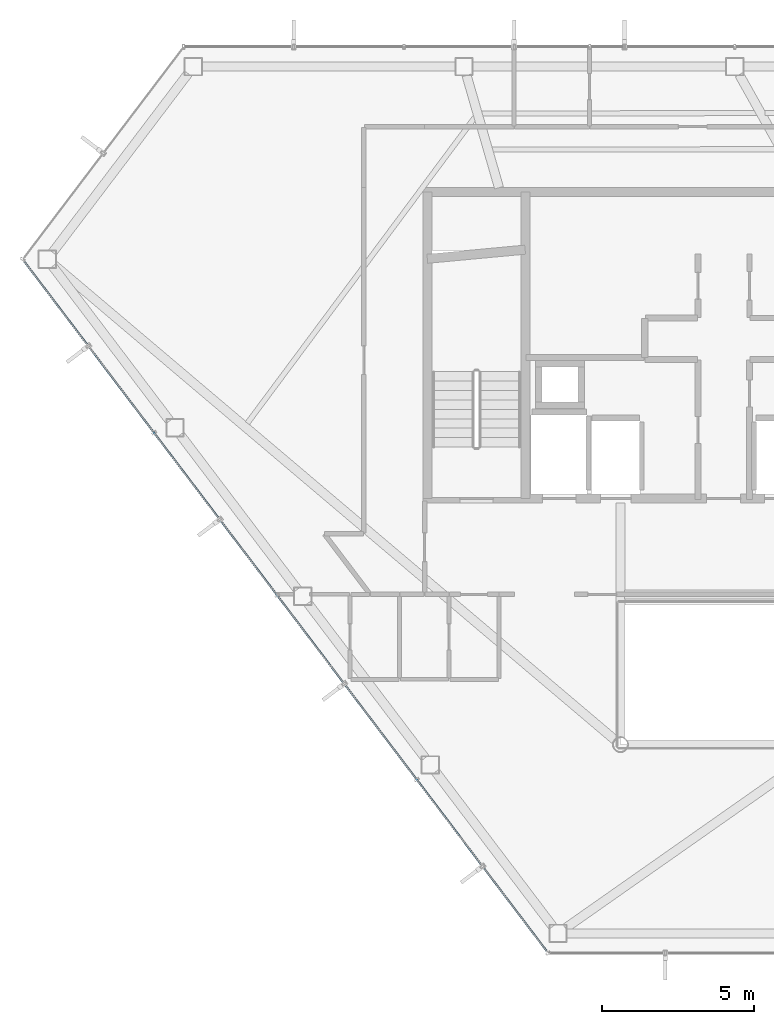
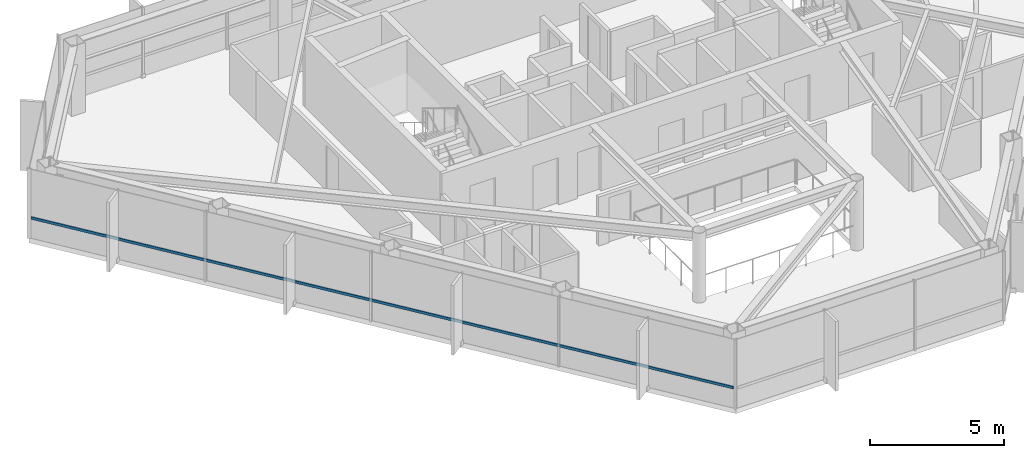
# One storey, part 4 of 27: 1 member, 1 element without a shape of its own.
"""IFC4 building model written with IfcOpenShell, lengths in metres."""

from ifc_helpers import new_model, si_unit, direction, frame, origin, origin_2d, place, context, subcontext, project, spatial, hollow_rectangle, extrude, material, layer, layer_set, material_profile, profile_set, type_object, element, aggregate, save


model = new_model("IFC4")

# Units and contexts
model_context = context("Model", 3, precision=1e-05, world=origin(), true_north=direction((0.0, 1.0)))
body_context = subcontext(model_context, "Body", "Model", "MODEL_VIEW")
ifc_project = project(units=[si_unit("LENGTHUNIT", "METRE"), si_unit("AREAUNIT", "SQUARE_METRE"), si_unit("VOLUMEUNIT", "CUBIC_METRE"), si_unit("PLANEANGLEUNIT", "RADIAN"), si_unit("MASSUNIT", "GRAM", prefix="KILO")], contexts=[model_context])

# Site, building, storey
site_placement = place(None, origin())
site = spatial("IfcSite", under=ifc_project, at=site_placement, CompositionType="ELEMENT")
building_placement = place(site_placement, origin())
building = spatial("IfcBuilding", under=site, at=building_placement, Name="Zarrinselat Tower", CompositionType="ELEMENT")
storey_placement = place(building_placement, frame((0.0, 0.0, 232.56005859375)))
storey = spatial("IfcBuildingStorey", under=building, at=storey_placement, Name="L58", CompositionType="ELEMENT", Elevation=232.56005859375)

# Curtain wall, member
ifc_material_1 = material(Name="Extruded Aluminium Alloy EN AW-6063 T6", Category="aluminium")
ifc_layer = layer(ifc_material_1, 0.169921875)
ifc_layer_set = layer_set([ifc_layer], Name="Extruded Aluminium Alloy EN AW-6063 T6")
curtain_wall_type = type_object("IfcCurtainWallType", Name="CWS-RES", PredefinedType="NOTDEFINED", material=ifc_layer_set)
curtain_wall_placement = place(storey_placement, origin())
curtain_wall = element("IfcCurtainWall", 1, at=curtain_wall_placement, inside=storey, type_object=curtain_wall_type, Name="L58 Unitised Curtain Wall CW-L58-E03", PredefinedType="NOTDEFINED")
ifc_material_2 = material(Name="Extruded Aluminium Alloy EN AW-6063 T6", Category="aluminium")
ifc_material_profile = material_profile(ifc_material_2, hollow_rectangle(XDim=0.06005859375, YDim=0.1201171875, WallThickness=0.00390625, at=origin_2d()), Name="RHS 120x60x4")
ifc_profile_set = profile_set([ifc_material_profile], Name="Extruded Aluminium Alloy EN AW-6063 T6")
member_type = type_object("IfcMemberType", Name="MEM-CW-TRN2", PredefinedType="USERDEFINED", material=ifc_profile_set)
member_placement = place(storey_placement, frame((15.365478515625, 41.10986328125, 0.949951171875), z_axis=(0.603860328371, -0.797090147862, 0.0), x_axis=(0.797090147862, 0.603860328371, 0.0)))
member = element("IfcMember", 2, at=member_placement, type_object=member_type, Name="CW-L58-E03 Transom 1", ObjectType="TRANSOM", PredefinedType="USERDEFINED", context=body_context, shape_type="SweptSolid", body=[
    extrude(hollow_rectangle(XDim=0.06005859375, YDim=0.1201171875, WallThickness=0.00390625, at=origin_2d()), origin(), (0.0, 0.0, 1.0), 28.483642578125),
])
aggregate(curtain_wall, [member])

save(model, "model.ifc")
